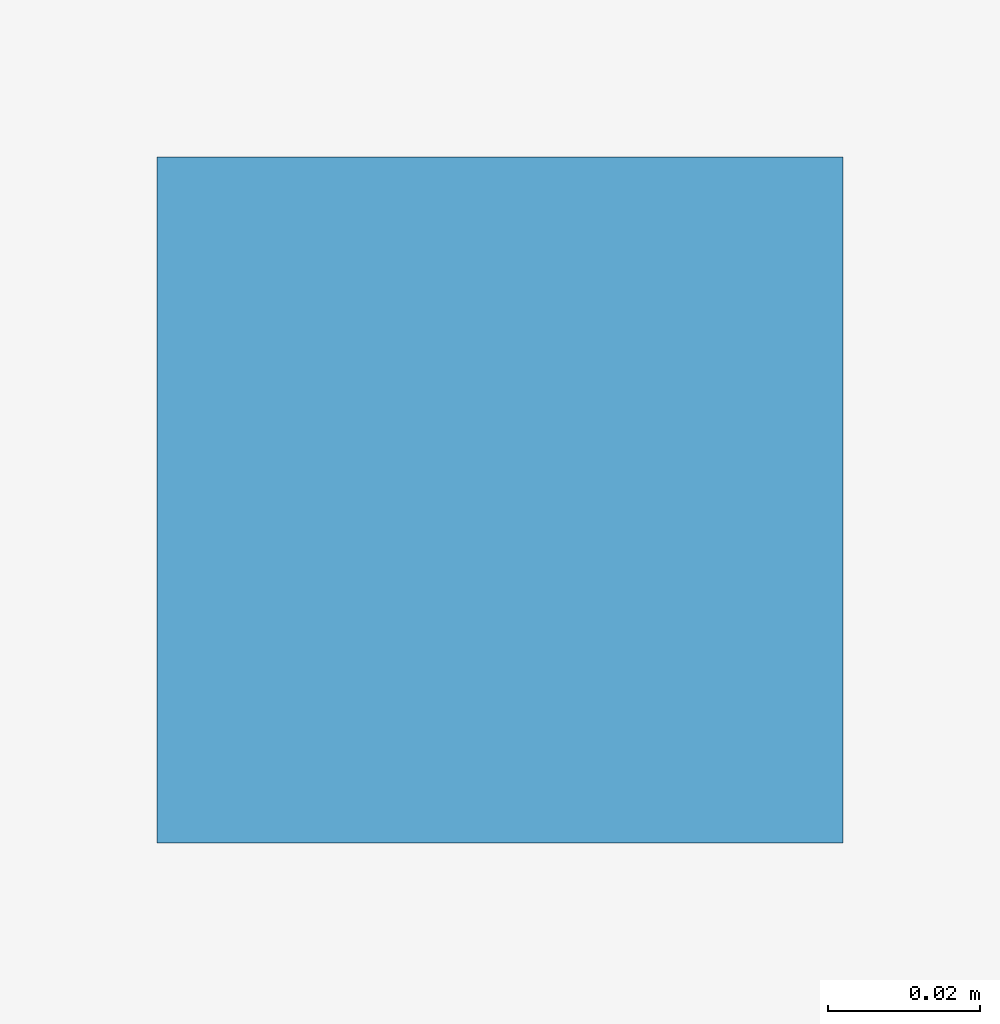
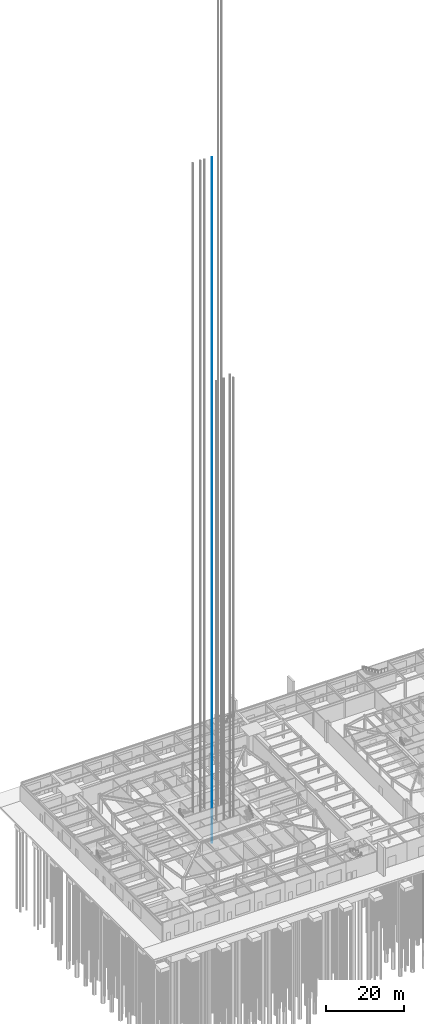
# One storey, part 31 of 37: 1 discrete accessory.
"""IFC4 building model written with IfcOpenShell, lengths in metres."""

import ifcopenshell
import ifcopenshell.guid

model = None  # the IFC model being written
_history = None  # IfcOwnerHistory: only IFC2X3 demands one
_inside = {}  # id of a spatial element -> (the spatial element, [elements in it])
_under = {}  # id of a project, library or spatial element -> (it, [spatial elements below it])
_declared = {}  # id of a project -> (the project, [libraries it declares])
_typed = {}  # id of a type object -> (the type object, [elements of that type])
_made_of = {}  # id of a material, layer set ... -> (it, [elements and type objects made of it])


def new_model(schema):
    """Start an empty IFC model of exactly this schema.

    Asked for "IFC4X3", IfcOpenShell would pick the latest addendum, in which some entities
    have other attributes; the version numbers below select the first issue.
    IFC2X3 requires an IfcOwnerHistory on every rooted entity: one is made here for all.
    """
    global model, _history
    if schema == "IFC4X3":
        model = ifcopenshell.file(schema_version=(4, 3, 0, 0))
    else:
        model = ifcopenshell.file(schema=schema)
    _inside.clear()
    _under.clear()
    _declared.clear()
    _typed.clear()
    _made_of.clear()
    _history = None
    if model.schema == "IFC2X3":
        org = make("IfcOrganization", Name="unknown")
        user = make(
            "IfcPersonAndOrganization",
            ThePerson=make("IfcPerson", FamilyName="unknown"),
            TheOrganization=org,
        )
        app = make(
            "IfcApplication",
            ApplicationDeveloper=org,
            Version="unknown",
            ApplicationFullName="unknown",
            ApplicationIdentifier="unknown",
        )
        _history = make(
            "IfcOwnerHistory",
            OwningUser=user,
            OwningApplication=app,
            ChangeAction="ADDED",
            CreationDate=0,
        )
    return model


def make(cls, **values):
    """One entity of the class cls with the attributes given. An attribute that is None is left unset."""
    return model.create_entity(
        cls, **{name: value for name, value in values.items() if value is not None}
    )


def rooted(cls, **values):
    """An entity with a GlobalId (a new one), such as an element, a storey or a relation."""
    return make(cls, GlobalId=ifcopenshell.guid.new(), OwnerHistory=_history, **values)


def si_unit(unit_type, name, prefix=None):
    """IfcSIUnit, for example si_unit("LENGTHUNIT", "METRE", prefix="MILLI")."""
    return make("IfcSIUnit", UnitType=unit_type, Prefix=prefix, Name=name)


def assignment(units):
    """IfcUnitAssignment: the units of a project."""
    return None if units is None else make("IfcUnitAssignment", Units=units)


def point(xyz):
    """IfcCartesianPoint."""
    return None if xyz is None else make("IfcCartesianPoint", Coordinates=xyz)


def direction(xyz):
    """IfcDirection."""
    return None if xyz is None else make("IfcDirection", DirectionRatios=xyz)


def frame(location, z_axis=None, x_axis=None):
    """IfcAxis2Placement3D, a coordinate frame: its origin and axes. An axis left out is left unset."""
    return make(
        "IfcAxis2Placement3D",
        Location=point(location),
        Axis=direction(z_axis),
        RefDirection=direction(x_axis),
    )


def frame_2d(location, x_axis=None):
    """IfcAxis2Placement2D, a coordinate frame in the plane: its origin and x axis."""
    return make(
        "IfcAxis2Placement2D", Location=point(location), RefDirection=direction(x_axis)
    )


def origin():
    """The frame at (0, 0, 0) with its axes left unset."""
    return frame((0.0, 0.0, 0.0))


def origin_2d():
    """The frame at (0, 0) in the plane with its x axis left unset."""
    return frame_2d((0.0, 0.0))


def place(relative_to, where):
    """IfcLocalPlacement: puts the frame where relative to a parent placement (None: the world)."""
    return make(
        "IfcLocalPlacement", PlacementRelTo=relative_to, RelativePlacement=where
    )


def context(
    kind, dimensions, precision=None, world=None, true_north=None, identifier=None
):
    """IfcGeometricRepresentationContext, for example the 3D "Model" context."""
    return make(
        "IfcGeometricRepresentationContext",
        ContextIdentifier=identifier,
        ContextType=kind,
        CoordinateSpaceDimension=dimensions,
        Precision=precision,
        WorldCoordinateSystem=world,
        TrueNorth=true_north,
    )


def subcontext(parent, identifier, kind, view, scale=None):
    """IfcGeometricRepresentationSubContext, for example "Body" below "Model"."""
    return make(
        "IfcGeometricRepresentationSubContext",
        ContextIdentifier=identifier,
        ContextType=kind,
        ParentContext=parent,
        TargetScale=scale,
        TargetView=view,
    )


def project(units=None, contexts=None):
    """IfcProject with its units and contexts."""
    return rooted(
        "IfcProject",
        Name="project",
        RepresentationContexts=contexts,
        UnitsInContext=assignment(units),
    )


def spatial(cls, under=None, at=None, **own):
    """A site, building, storey or space (cls), placed at a placement, below another one or the project."""
    s = rooted(cls, ObjectPlacement=at, **own)
    if under is not None:
        _under.setdefault(under.id(), (under, []))[1].append(s)
    return s


def profile(cls, at=None, kind="AREA", **sizes):
    """A parametric profile (cls). Its sizes go by their IFC names, for example OverallWidth=200.0."""
    return make(cls, ProfileType=kind, Position=at, **sizes)


def rectangle(**sizes):
    """IfcRectangleProfileDef."""
    return profile("IfcRectangleProfileDef", **sizes)


def extrude(swept, where, along, depth):
    """IfcExtrudedAreaSolid: the profile swept, set in the frame where, extruded along a direction by depth."""
    return make(
        "IfcExtrudedAreaSolid",
        SweptArea=swept,
        Position=where,
        ExtrudedDirection=direction(along),
        Depth=depth,
    )


def shape(context_of_items, identifier, shape_type, items):
    """IfcShapeRepresentation: the items that make up one representation, for example the "Body"."""
    return make(
        "IfcShapeRepresentation",
        ContextOfItems=context_of_items,
        RepresentationIdentifier=identifier,
        RepresentationType=shape_type,
        Items=items,
    )


def material(Name=None, Category=None):
    """IfcMaterial."""
    return make("IfcMaterial", Name=Name, Category=Category)


def made_of(thing, what):
    """Note that an element or type object is made of a material, layer set ...; save() writes the relation."""
    if what is not None:
        _made_of.setdefault(what.id(), (what, []))[1].append(thing)
    return thing


def element(
    cls,
    number,
    at=None,
    inside=None,
    cuts=None,
    type_object=None,
    material=None,
    context=None,
    identifier="Body",
    shape_type=None,
    held_by="IfcProductDefinitionShape",
    body=None,
    shapes=None,
    **own,
):
    """One element of the class cls, such as IfcWall. Its Tag is "e" and its number.

    at: its placement. inside: the storey or other place that contains it. cuts: it is an
    opening in that element (IfcRelVoidsElement). A single representation is given by context,
    identifier, shape_type and body (its items); several are given by shapes. held_by: the class
    of the entity that holds the representations. save() writes the other relations.
    """
    e = rooted(cls, Tag="e%d" % number, ObjectPlacement=at, **own)
    if body is not None:
        shapes = [shape(context, identifier, shape_type, body)]
    if shapes is not None:
        e.Representation = make(held_by, Representations=shapes)
    if inside is not None:
        _inside.setdefault(inside.id(), (inside, []))[1].append(e)
    if cuts is not None:
        rooted(
            "IfcRelVoidsElement", RelatingBuildingElement=cuts, RelatedOpeningElement=e
        )
    if type_object is not None:
        _typed.setdefault(type_object.id(), (type_object, []))[1].append(e)
    return made_of(e, material)


def aggregate(whole, parts):
    """IfcRelAggregates: a whole, such as a stair, and the parts it consists of."""
    return rooted("IfcRelAggregates", RelatingObject=whole, RelatedObjects=parts)


def save(model, path):
    """Write the relations noted so far, then the file.

    IfcRelAggregates (storeys below a building ...), IfcRelContainedInSpatialStructure (elements
    in a storey), IfcRelDefinesByType, IfcRelAssociatesMaterial and IfcRelDeclares: one each for
    every whole, place, type object, material and project.
    """
    for whole, parts in _under.values():
        aggregate(whole, parts)
    for where, things in _inside.values():
        rooted(
            "IfcRelContainedInSpatialStructure",
            RelatedElements=things,
            RelatingStructure=where,
        )
    for kind, things in _typed.values():
        rooted("IfcRelDefinesByType", RelatedObjects=things, RelatingType=kind)
    for what, things in _made_of.values():
        rooted("IfcRelAssociatesMaterial", RelatedObjects=things, RelatingMaterial=what)
    for by, libraries in _declared.values():
        rooted("IfcRelDeclares", RelatingContext=by, RelatedDefinitions=libraries)
    model.write(path)


model = new_model("IFC4")

# Units and contexts
model_context = context("Model", 3, precision=1e-05, world=origin(), true_north=direction((0.0, 1.0)))
body_context = subcontext(model_context, "Body", "Model", "MODEL_VIEW")
ifc_project = project(units=[si_unit("LENGTHUNIT", "METRE"), si_unit("AREAUNIT", "SQUARE_METRE"), si_unit("VOLUMEUNIT", "CUBIC_METRE"), si_unit("PLANEANGLEUNIT", "RADIAN"), si_unit("MASSUNIT", "GRAM", prefix="KILO")], contexts=[model_context])

# Site, building, storey
site_placement = place(None, origin())
site = spatial("IfcSite", under=ifc_project, at=site_placement, CompositionType="ELEMENT")
building_placement = place(site_placement, origin())
building = spatial("IfcBuilding", under=site, at=building_placement, Name="Iwan Alto Co-Living Towers", CompositionType="ELEMENT")
storey_placement = place(building_placement, origin())
storey = spatial("IfcBuildingStorey", under=building, at=storey_placement, Name="L00", CompositionType="ELEMENT", Elevation=0.0)

# Discrete accessory
ifc_material = material(Name="Steel ASTM A36", Category="steel")
placement = place(storey_placement, frame((0.0, 3.0, 0.0), z_axis=(0.0, 0.0, 1.0), x_axis=(1.0, 0.0, 0.0)))
discrete_accessory_placement = place(placement, origin())
element("IfcDiscreteAccessory", 1, at=discrete_accessory_placement, inside=storey, material=ifc_material, Name="Lift P3-2 guide rail 2", ObjectType="Lift guide rail", PredefinedType="USERDEFINED", context=body_context, shape_type="SweptSolid", body=[
    extrude(rectangle(XDim=0.09, YDim=0.09, at=origin_2d()), frame((1.10009765625, 0.0, -5.89990234375)), (0.0, 0.0, 1.0), 213.800048828125),
])

save(model, "model.ifc")
